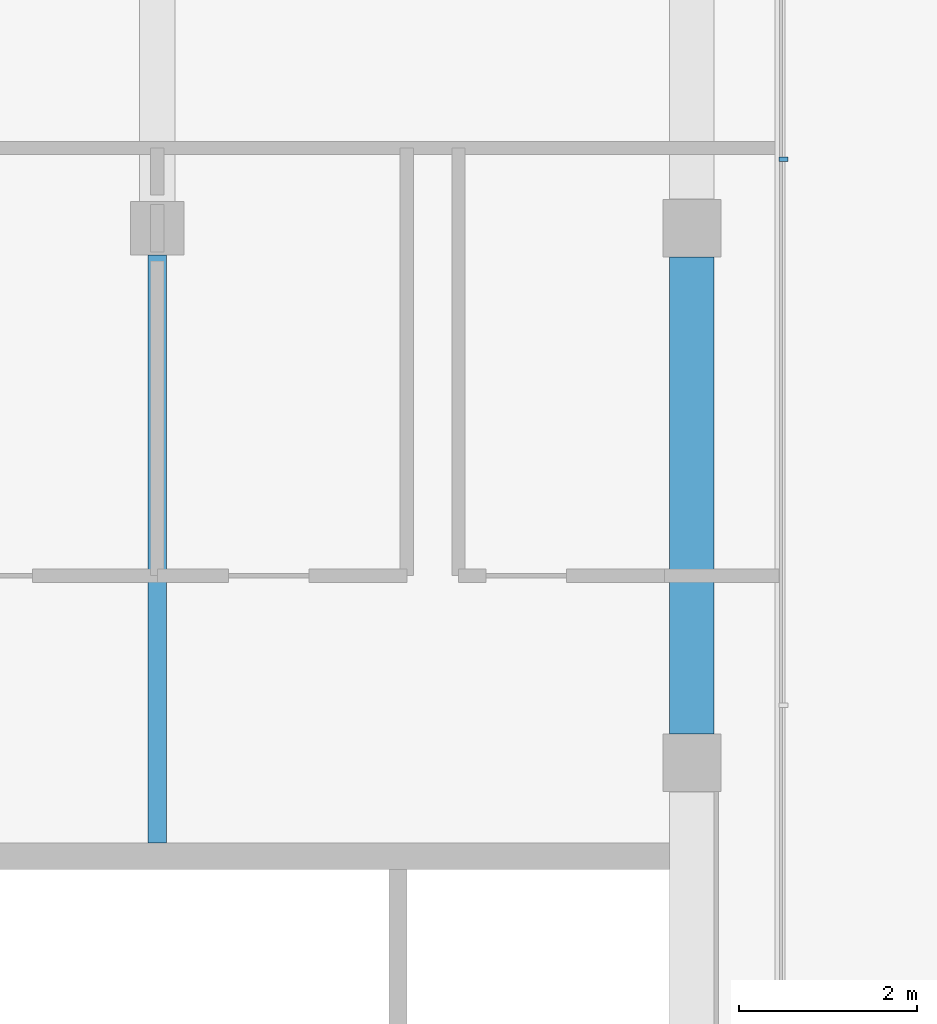
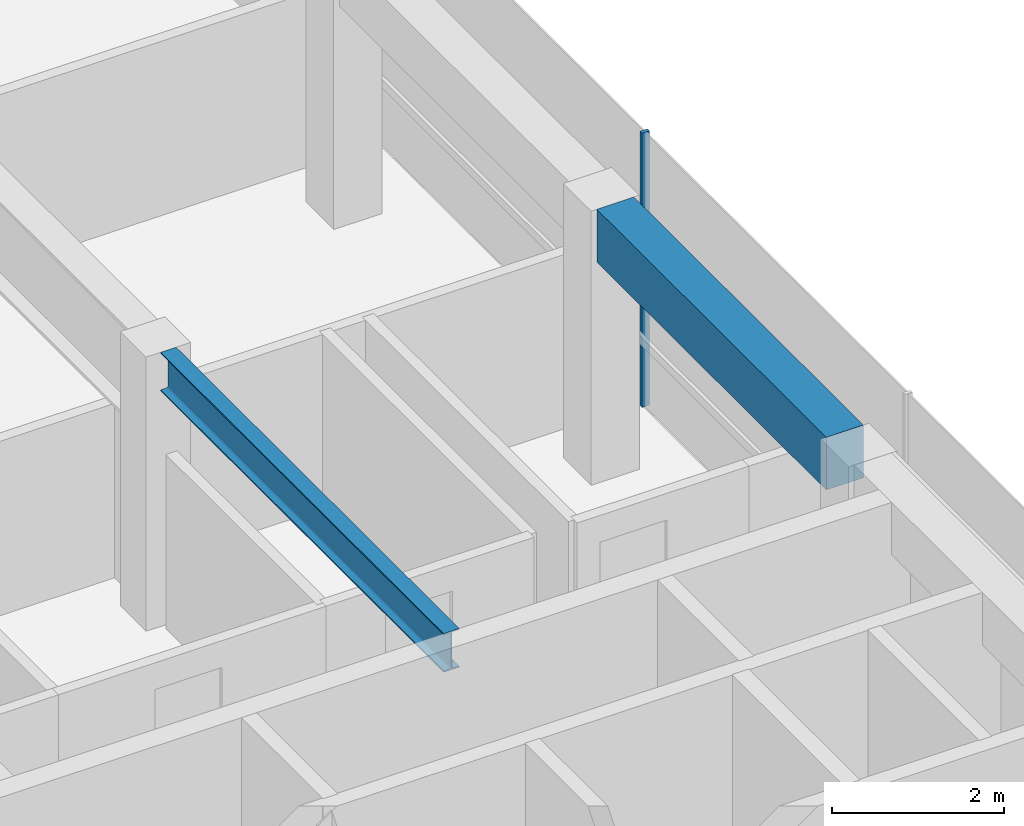
# One storey, part 11 of 21: 2 beams, 1 member, 1 element without a shape of its own.
"""IFC4 building model written with IfcOpenShell, lengths in metres."""

import ifcopenshell
import ifcopenshell.guid

model = None  # the IFC model being written
_history = None  # IfcOwnerHistory: only IFC2X3 demands one
_inside = {}  # id of a spatial element -> (the spatial element, [elements in it])
_under = {}  # id of a project, library or spatial element -> (it, [spatial elements below it])
_declared = {}  # id of a project -> (the project, [libraries it declares])
_typed = {}  # id of a type object -> (the type object, [elements of that type])
_made_of = {}  # id of a material, layer set ... -> (it, [elements and type objects made of it])


def new_model(schema):
    """Start an empty IFC model of exactly this schema.

    Asked for "IFC4X3", IfcOpenShell would pick the latest addendum, in which some entities
    have other attributes; the version numbers below select the first issue.
    IFC2X3 requires an IfcOwnerHistory on every rooted entity: one is made here for all.
    """
    global model, _history
    if schema == "IFC4X3":
        model = ifcopenshell.file(schema_version=(4, 3, 0, 0))
    else:
        model = ifcopenshell.file(schema=schema)
    _inside.clear()
    _under.clear()
    _declared.clear()
    _typed.clear()
    _made_of.clear()
    _history = None
    if model.schema == "IFC2X3":
        org = make("IfcOrganization", Name="unknown")
        user = make(
            "IfcPersonAndOrganization",
            ThePerson=make("IfcPerson", FamilyName="unknown"),
            TheOrganization=org,
        )
        app = make(
            "IfcApplication",
            ApplicationDeveloper=org,
            Version="unknown",
            ApplicationFullName="unknown",
            ApplicationIdentifier="unknown",
        )
        _history = make(
            "IfcOwnerHistory",
            OwningUser=user,
            OwningApplication=app,
            ChangeAction="ADDED",
            CreationDate=0,
        )
    return model


def make(cls, **values):
    """One entity of the class cls with the attributes given. An attribute that is None is left unset."""
    return model.create_entity(
        cls, **{name: value for name, value in values.items() if value is not None}
    )


def rooted(cls, **values):
    """An entity with a GlobalId (a new one), such as an element, a storey or a relation."""
    return make(cls, GlobalId=ifcopenshell.guid.new(), OwnerHistory=_history, **values)


def si_unit(unit_type, name, prefix=None):
    """IfcSIUnit, for example si_unit("LENGTHUNIT", "METRE", prefix="MILLI")."""
    return make("IfcSIUnit", UnitType=unit_type, Prefix=prefix, Name=name)


def assignment(units):
    """IfcUnitAssignment: the units of a project."""
    return None if units is None else make("IfcUnitAssignment", Units=units)


def point(xyz):
    """IfcCartesianPoint."""
    return None if xyz is None else make("IfcCartesianPoint", Coordinates=xyz)


def direction(xyz):
    """IfcDirection."""
    return None if xyz is None else make("IfcDirection", DirectionRatios=xyz)


def frame(location, z_axis=None, x_axis=None):
    """IfcAxis2Placement3D, a coordinate frame: its origin and axes. An axis left out is left unset."""
    return make(
        "IfcAxis2Placement3D",
        Location=point(location),
        Axis=direction(z_axis),
        RefDirection=direction(x_axis),
    )


def frame_2d(location, x_axis=None):
    """IfcAxis2Placement2D, a coordinate frame in the plane: its origin and x axis."""
    return make(
        "IfcAxis2Placement2D", Location=point(location), RefDirection=direction(x_axis)
    )


def origin():
    """The frame at (0, 0, 0) with its axes left unset."""
    return frame((0.0, 0.0, 0.0))


def origin_2d():
    """The frame at (0, 0) in the plane with its x axis left unset."""
    return frame_2d((0.0, 0.0))


def place(relative_to, where):
    """IfcLocalPlacement: puts the frame where relative to a parent placement (None: the world)."""
    return make(
        "IfcLocalPlacement", PlacementRelTo=relative_to, RelativePlacement=where
    )


def context(
    kind, dimensions, precision=None, world=None, true_north=None, identifier=None
):
    """IfcGeometricRepresentationContext, for example the 3D "Model" context."""
    return make(
        "IfcGeometricRepresentationContext",
        ContextIdentifier=identifier,
        ContextType=kind,
        CoordinateSpaceDimension=dimensions,
        Precision=precision,
        WorldCoordinateSystem=world,
        TrueNorth=true_north,
    )


def subcontext(parent, identifier, kind, view, scale=None):
    """IfcGeometricRepresentationSubContext, for example "Body" below "Model"."""
    return make(
        "IfcGeometricRepresentationSubContext",
        ContextIdentifier=identifier,
        ContextType=kind,
        ParentContext=parent,
        TargetScale=scale,
        TargetView=view,
    )


def project(units=None, contexts=None):
    """IfcProject with its units and contexts."""
    return rooted(
        "IfcProject",
        Name="project",
        RepresentationContexts=contexts,
        UnitsInContext=assignment(units),
    )


def spatial(cls, under=None, at=None, **own):
    """A site, building, storey or space (cls), placed at a placement, below another one or the project."""
    s = rooted(cls, ObjectPlacement=at, **own)
    if under is not None:
        _under.setdefault(under.id(), (under, []))[1].append(s)
    return s


def profile(cls, at=None, kind="AREA", **sizes):
    """A parametric profile (cls). Its sizes go by their IFC names, for example OverallWidth=200.0."""
    return make(cls, ProfileType=kind, Position=at, **sizes)


def rectangle(**sizes):
    """IfcRectangleProfileDef."""
    return profile("IfcRectangleProfileDef", **sizes)


def i_section(**sizes):
    """IfcIShapeProfileDef."""
    return profile("IfcIShapeProfileDef", **sizes)


def extrude(swept, where, along, depth):
    """IfcExtrudedAreaSolid: the profile swept, set in the frame where, extruded along a direction by depth."""
    return make(
        "IfcExtrudedAreaSolid",
        SweptArea=swept,
        Position=where,
        ExtrudedDirection=direction(along),
        Depth=depth,
    )


def shape(context_of_items, identifier, shape_type, items):
    """IfcShapeRepresentation: the items that make up one representation, for example the "Body"."""
    return make(
        "IfcShapeRepresentation",
        ContextOfItems=context_of_items,
        RepresentationIdentifier=identifier,
        RepresentationType=shape_type,
        Items=items,
    )


def material(Name=None, Category=None):
    """IfcMaterial."""
    return make("IfcMaterial", Name=Name, Category=Category)


def layer(
    of_material, thickness, ventilated=None, Name=None, Category=None, Priority=None
):
    """IfcMaterialLayer: one layer of a wall or slab, of a material (None: an air gap)."""
    return make(
        "IfcMaterialLayer",
        Material=of_material,
        LayerThickness=thickness,
        IsVentilated=ventilated,
        Name=Name,
        Category=Category,
        Priority=Priority,
    )


def layer_set(layers, Name=None):
    """IfcMaterialLayerSet."""
    return make("IfcMaterialLayerSet", MaterialLayers=layers, LayerSetName=Name)


def material_profile(
    of_material, cross_section, Name=None, Category=None, Priority=None
):
    """IfcMaterialProfile: a cross section and its material."""
    return make(
        "IfcMaterialProfile",
        Name=Name,
        Material=of_material,
        Profile=cross_section,
        Priority=Priority,
        Category=Category,
    )


def profile_set(profiles, Name=None, composite=None):
    """IfcMaterialProfileSet."""
    return make(
        "IfcMaterialProfileSet",
        Name=Name,
        MaterialProfiles=profiles,
        CompositeProfile=composite,
    )


def made_of(thing, what):
    """Note that an element or type object is made of a material, layer set ...; save() writes the relation."""
    if what is not None:
        _made_of.setdefault(what.id(), (what, []))[1].append(thing)
    return thing


def type_object(cls, material=None, **own):
    """A type object (cls), such as IfcWallType, which elements share."""
    return made_of(rooted(cls, **own), material)


def element(
    cls,
    number,
    at=None,
    inside=None,
    cuts=None,
    type_object=None,
    material=None,
    context=None,
    identifier="Body",
    shape_type=None,
    held_by="IfcProductDefinitionShape",
    body=None,
    shapes=None,
    **own,
):
    """One element of the class cls, such as IfcWall. Its Tag is "e" and its number.

    at: its placement. inside: the storey or other place that contains it. cuts: it is an
    opening in that element (IfcRelVoidsElement). A single representation is given by context,
    identifier, shape_type and body (its items); several are given by shapes. held_by: the class
    of the entity that holds the representations. save() writes the other relations.
    """
    e = rooted(cls, Tag="e%d" % number, ObjectPlacement=at, **own)
    if body is not None:
        shapes = [shape(context, identifier, shape_type, body)]
    if shapes is not None:
        e.Representation = make(held_by, Representations=shapes)
    if inside is not None:
        _inside.setdefault(inside.id(), (inside, []))[1].append(e)
    if cuts is not None:
        rooted(
            "IfcRelVoidsElement", RelatingBuildingElement=cuts, RelatedOpeningElement=e
        )
    if type_object is not None:
        _typed.setdefault(type_object.id(), (type_object, []))[1].append(e)
    return made_of(e, material)


def aggregate(whole, parts):
    """IfcRelAggregates: a whole, such as a stair, and the parts it consists of."""
    return rooted("IfcRelAggregates", RelatingObject=whole, RelatedObjects=parts)


def save(model, path):
    """Write the relations noted so far, then the file.

    IfcRelAggregates (storeys below a building ...), IfcRelContainedInSpatialStructure (elements
    in a storey), IfcRelDefinesByType, IfcRelAssociatesMaterial and IfcRelDeclares: one each for
    every whole, place, type object, material and project.
    """
    for whole, parts in _under.values():
        aggregate(whole, parts)
    for where, things in _inside.values():
        rooted(
            "IfcRelContainedInSpatialStructure",
            RelatedElements=things,
            RelatingStructure=where,
        )
    for kind, things in _typed.values():
        rooted("IfcRelDefinesByType", RelatedObjects=things, RelatingType=kind)
    for what, things in _made_of.values():
        rooted("IfcRelAssociatesMaterial", RelatedObjects=things, RelatingMaterial=what)
    for by, libraries in _declared.values():
        rooted("IfcRelDeclares", RelatingContext=by, RelatedDefinitions=libraries)
    model.write(path)


model = new_model("IFC4")

# Units and contexts
model_context = context("Model", 3, precision=1e-05, world=origin(), true_north=direction((0.0, 1.0)))
body_context = subcontext(model_context, "Body", "Model", "MODEL_VIEW")
ifc_project = project(units=[si_unit("LENGTHUNIT", "METRE"), si_unit("AREAUNIT", "SQUARE_METRE"), si_unit("VOLUMEUNIT", "CUBIC_METRE"), si_unit("PLANEANGLEUNIT", "RADIAN"), si_unit("MASSUNIT", "GRAM", prefix="KILO")], contexts=[model_context])

# Site, building, storey
site_placement = place(None, origin())
site = spatial("IfcSite", under=ifc_project, at=site_placement, CompositionType="ELEMENT")
building_placement = place(site_placement, origin())
building = spatial("IfcBuilding", under=site, at=building_placement, Name="Welwitschia Terrace Campus", CompositionType="ELEMENT")
storey_placement = place(building_placement, frame((0.0, 0.0, 331.39990234375)))
storey = spatial("IfcBuildingStorey", under=building, at=storey_placement, Name="L74", CompositionType="ELEMENT", Elevation=331.39990234375)

# Beam
ifc_material_1 = material(Name="Steel S355", Category="steel")
ifc_material_profile_1 = material_profile(ifc_material_1, i_section(OverallWidth=0.2099609375, OverallDepth=0.550048828125, WebThickness=0.010986328125, FlangeThickness=0.01708984375, FilletRadius=0.02392578125, at=origin_2d()))
ifc_profile_set_1 = profile_set([ifc_material_profile_1], Name="Steel S355")
beam_type_1 = type_object("IfcBeamType", Name="Interior girder IPE 550", PredefinedType="BEAM", material=ifc_profile_set_1)
beam_1_placement = place(storey_placement, frame((18.0, 25.10107421875, 3.625), z_axis=(0.0, 1.0, 0.0), x_axis=(-1.0, 0.0, 0.0)))
element("IfcBeam", 1, at=beam_1_placement, inside=storey, type_object=beam_type_1, Name="Girder GB7", PredefinedType="BEAM", context=body_context, shape_type="SweptSolid", body=[
    extrude(i_section(OverallWidth=0.2099609375, OverallDepth=0.550048828125, WebThickness=0.010986328125, FlangeThickness=0.01708984375, FilletRadius=0.02392578125, at=origin_2d()), origin(), (0.0, 0.0, 1.0), 6.598388671875),
])

# Curtain wall, member
ifc_material_2 = material(Name="Bronze anodised aluminium", Category="aluminium")
ifc_layer = layer(ifc_material_2, 0.10009765625)
ifc_layer_set = layer_set([ifc_layer], Name="Bronze anodised aluminium")
curtain_wall_type = type_object("IfcCurtainWallType", Name="Curtain wall CW5 crown 6000", PredefinedType="NOTDEFINED", material=ifc_layer_set)
curtain_wall_placement = place(storey_placement, origin())
curtain_wall = element("IfcCurtainWall", 2, at=curtain_wall_placement, inside=storey, type_object=curtain_wall_type, Name="CW L74.7.0", PredefinedType="NOTDEFINED")
ifc_material_3 = material(Name="Bronze anodised aluminium", Category="aluminium")
ifc_material_profile_2 = material_profile(ifc_material_3, rectangle(XDim=0.10009765625, YDim=0.050048828125, at=origin_2d()))
ifc_profile_set_2 = profile_set([ifc_material_profile_2], Name="Bronze anodised aluminium")
member_type = type_object("IfcMemberType", Name="Mullion 50x100", PredefinedType="MULLION", material=ifc_profile_set_2)
member_placement = place(storey_placement, frame((25.030029296875, 32.772705078125, 0.0), z_axis=(0.0, 0.0, 1.0), x_axis=(-1.0, 0.0, 0.0)))
member = element("IfcMember", 3, at=member_placement, type_object=member_type, Name="Mullion L74.7.0.2", PredefinedType="MULLION", context=body_context, shape_type="SweptSolid", body=[
    extrude(rectangle(XDim=0.10009765625, YDim=0.050048828125, at=origin_2d()), origin(), (0.0, 0.0, 1.0), 3.900146484375),
])
aggregate(curtain_wall, [member])

# Beam
ifc_material_4 = material(Name="Concrete C40/50", Category="concrete")
ifc_material_profile_3 = material_profile(ifc_material_4, rectangle(XDim=0.5, YDim=0.75, at=origin_2d()))
ifc_profile_set_3 = profile_set([ifc_material_profile_3], Name="Concrete C40/50")
beam_type_2 = type_object("IfcBeamType", Name="Ring spandrel 500x750", PredefinedType="SPANDREL", material=ifc_profile_set_3)
beam_2_placement = place(storey_placement, frame((24.0, 26.325439453125, 3.525146484375), z_axis=(0.0, 1.0, 0.0), x_axis=(-1.0, 0.0, 0.0)))
element("IfcBeam", 4, at=beam_2_placement, inside=storey, type_object=beam_type_2, Name="Spandrel SP5", PredefinedType="SPANDREL", context=body_context, shape_type="SweptSolid", body=[
    extrude(rectangle(XDim=0.5, YDim=0.75, at=origin_2d()), origin(), (0.0, 0.0, 1.0), 5.34912109375),
])

save(model, "model.ifc")
